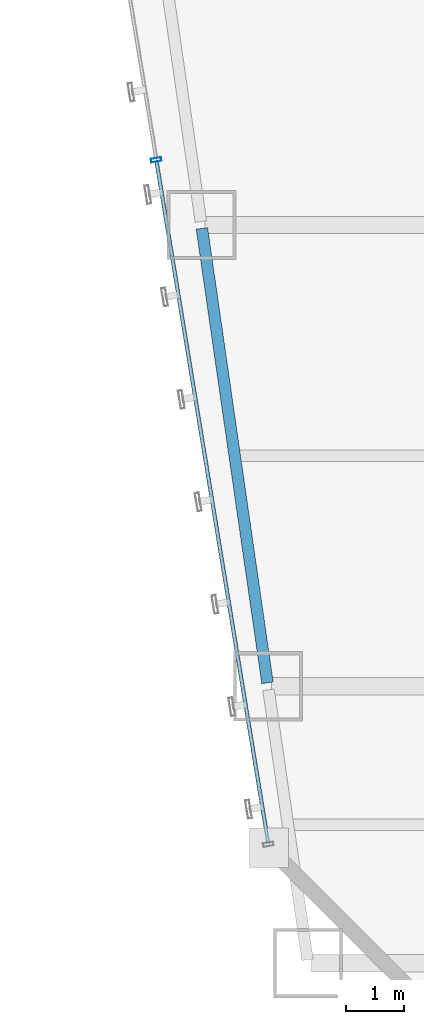
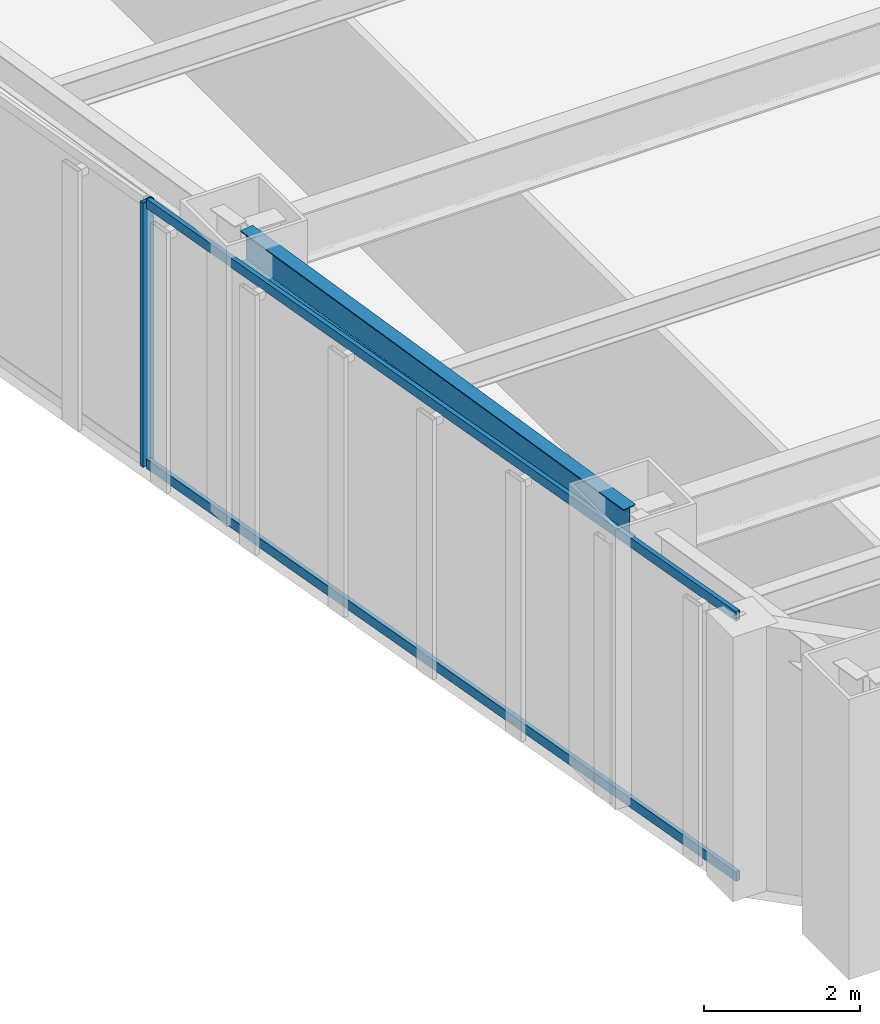
# One storey, part 5 of 47: 3 members, 1 beam, 1 element without a shape of its own.
"""IFC4 building model written with IfcOpenShell, lengths in metres."""

from ifc_helpers import new_model, si_unit, direction, frame, origin, origin_2d, place, context, subcontext, project, spatial, hollow_rectangle, i_section, extrude, material, material_profile, profile_set, type_object, element, aggregate, save


model = new_model("IFC4")

# Units and contexts
model_context = context("Model", 3, precision=1e-05, world=origin(), true_north=direction((0.0, 1.0)))
body_context = subcontext(model_context, "Body", "Model", "MODEL_VIEW")
ifc_project = project(units=[si_unit("LENGTHUNIT", "METRE"), si_unit("AREAUNIT", "SQUARE_METRE"), si_unit("VOLUMEUNIT", "CUBIC_METRE"), si_unit("PLANEANGLEUNIT", "RADIAN"), si_unit("MASSUNIT", "GRAM", prefix="KILO")], contexts=[model_context])

# Site, building, storey
site_placement = place(None, origin())
site = spatial("IfcSite", under=ifc_project, at=site_placement, CompositionType="ELEMENT")
building_placement = place(site_placement, origin())
building = spatial("IfcBuilding", under=site, at=building_placement, Name="Saevonmaru Cultural Tower", CompositionType="ELEMENT")
storey_placement = place(building_placement, frame((0.0, 0.0, 60.39990234375)))
storey = spatial("IfcBuildingStorey", under=building, at=storey_placement, Name="L12", CompositionType="ELEMENT", Elevation=60.39990234375)

# Beam
ifc_material_1 = material(Name="Steel SM355", Category="steel")
ifc_material_profile_1 = material_profile(ifc_material_1, i_section(OverallWidth=0.199951171875, OverallDepth=0.5, WebThickness=0.010009765625, FlangeThickness=0.01611328125, FilletRadius=0.02001953125, at=origin_2d()), Name="H-500x200x10x16")
ifc_profile_set_1 = profile_set([ifc_material_profile_1], Name="Steel SM355")
beam_type = type_object("IfcBeamType", Name="BM-SP-H500", PredefinedType="SPANDREL", material=ifc_profile_set_1)
beam_placement = place(storey_placement, frame((11.7744140625, 8.059326171875, 3.900146484375), z_axis=(-0.142871999001, 0.989741174197, 0.0), x_axis=(-0.989741174197, -0.142871999001, 0.0)))
element("IfcBeam", 1, at=beam_placement, inside=storey, type_object=beam_type, Name="L12 West Splayed Spandrel 2", PredefinedType="SPANDREL", context=body_context, shape_type="SweptSolid", body=[
    extrude(i_section(OverallWidth=0.199951171875, OverallDepth=0.5, WebThickness=0.010009765625, FlangeThickness=0.01611328125, FilletRadius=0.02001953125, at=origin_2d()), origin(), (0.0, 0.0, 1.0), 7.963134765625),
])

# Curtain wall, members
ifc_material_2 = material(Name="Satin Bronze Anodised Aluminium", Category="aluminium")
curtain_wall_type = type_object("IfcCurtainWallType", Name="CW-TYP-A", PredefinedType="NOTDEFINED", material=ifc_material_2)
curtain_wall_placement = place(storey_placement, origin())
curtain_wall = element("IfcCurtainWall", 2, at=curtain_wall_placement, inside=storey, type_object=curtain_wall_type, Name="L12 Unitised Curtain Wall E12", PredefinedType="NOTDEFINED")
ifc_material_profile_2 = material_profile(ifc_material_2, hollow_rectangle(XDim=0.06494140625, YDim=0.179931640625, WallThickness=0.00390625, at=origin_2d()), Name="ALU-MULL-180x65x4")
ifc_profile_set_2 = profile_set([ifc_material_profile_2], Name="Satin Bronze Anodised Aluminium")
member_type_1 = type_object("IfcMemberType", Name="ML-CW-180x65", PredefinedType="MULLION", material=ifc_profile_set_2)
member_1_placement = place(storey_placement, frame((9.84521484375, 17.129638671875, 0.0), z_axis=(0.0, 0.0, 1.0), x_axis=(0.161708868641, -0.986838508472, 0.0)))
member_1 = element("IfcMember", 3, at=member_1_placement, type_object=member_type_1, Name="CW-TW-L12-E12 mullion 4", PredefinedType="MULLION", context=body_context, shape_type="SweptSolid", body=[
    extrude(hollow_rectangle(XDim=0.06494140625, YDim=0.179931640625, WallThickness=0.00390625, at=origin_2d()), origin(), (0.0, 0.0, 1.0), 4.150146484375),
])
ifc_material_profile_3 = material_profile(ifc_material_2, hollow_rectangle(XDim=0.06494140625, YDim=0.14990234375, WallThickness=0.00390625, at=origin_2d()), Name="ALU-TRAN-150x65x4")
ifc_profile_set_3 = profile_set([ifc_material_profile_3], Name="Satin Bronze Anodised Aluminium")
member_type_2 = type_object("IfcMemberType", Name="TR-CW-150x65", PredefinedType="USERDEFINED", material=ifc_profile_set_3)
member_2_placement = place(storey_placement, frame((9.850341796875, 17.097412109375, 0.03271484375), z_axis=(0.161724530373, -0.986835941925, 0.0), x_axis=(0.986835941925, 0.161724530373, 0.0)))
member_2 = element("IfcMember", 4, at=member_2_placement, type_object=member_type_2, Name="CW-TW-L12-E12 transom 4.1", ObjectType="TRANSOM", PredefinedType="USERDEFINED", context=body_context, shape_type="SweptSolid", body=[
    extrude(hollow_rectangle(XDim=0.06494140625, YDim=0.14990234375, WallThickness=0.00390625, at=origin_2d()), origin(), (0.0, 0.0, 1.0), 11.963623046875),
])
member_3_placement = place(storey_placement, frame((9.850341796875, 17.097412109375, 4.11767578125), z_axis=(0.161724530373, -0.986835941925, 0.0), x_axis=(0.986835941925, 0.161724530373, 0.0)))
member_3 = element("IfcMember", 5, at=member_3_placement, type_object=member_type_2, Name="CW-TW-L12-E12 transom 4.2", ObjectType="TRANSOM", PredefinedType="USERDEFINED", context=body_context, shape_type="SweptSolid", body=[
    extrude(hollow_rectangle(XDim=0.06494140625, YDim=0.14990234375, WallThickness=0.00390625, at=origin_2d()), origin(), (0.0, 0.0, 1.0), 11.963623046875),
])
aggregate(curtain_wall, [member_1, member_2, member_3])

save(model, "model.ifc")
